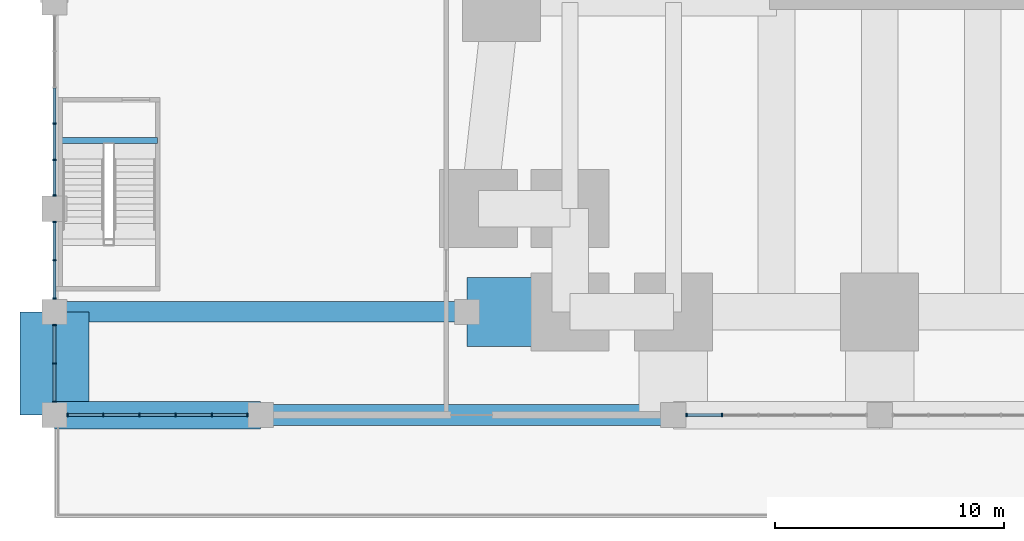
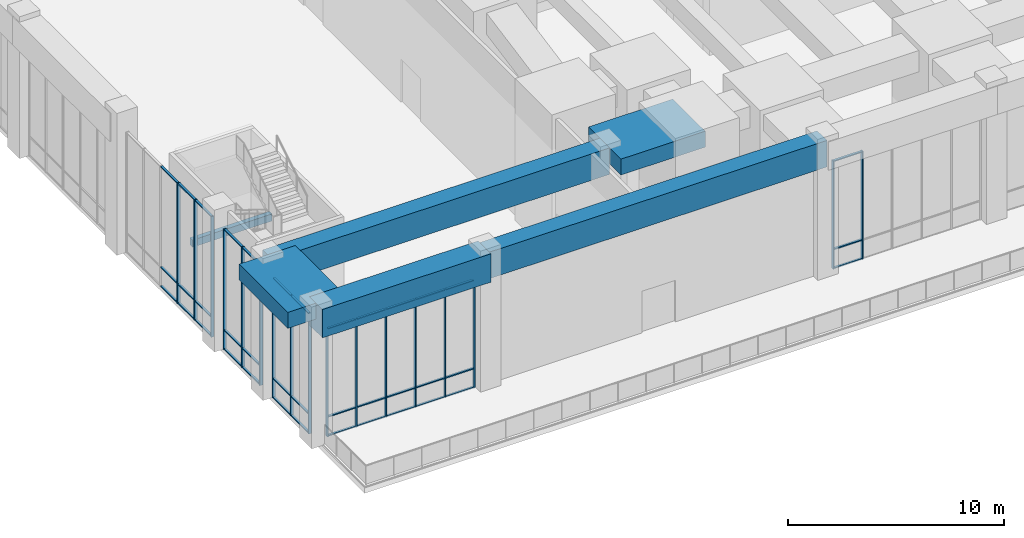
# One storey, part 2 of 26: 56 members, 6 beams, 5 elements without a shape of their own.
"""IFC4 building model written with IfcOpenShell, lengths in metres."""

from ifc_helpers import new_model, si_unit, direction, frame, origin, origin_2d, place, context, subcontext, project, spatial, rectangle, extrude, material, material_profile, profile_set, type_object, element, aggregate, save


model = new_model("IFC4")

# Units and contexts
model_context = context("Model", 3, precision=1e-05, world=origin(), true_north=direction((0.0, 1.0)))
body_context = subcontext(model_context, "Body", "Model", "MODEL_VIEW")
ifc_project = project(units=[si_unit("LENGTHUNIT", "METRE"), si_unit("AREAUNIT", "SQUARE_METRE"), si_unit("VOLUMEUNIT", "CUBIC_METRE"), si_unit("PLANEANGLEUNIT", "RADIAN"), si_unit("MASSUNIT", "GRAM", prefix="KILO")], contexts=[model_context])

# Site, building, storey
site_placement = place(None, origin())
site = spatial("IfcSite", under=ifc_project, at=site_placement, CompositionType="ELEMENT")
building_placement = place(site_placement, origin())
building = spatial("IfcBuilding", under=site, at=building_placement, Name="Kilele Tower Hotel", CompositionType="ELEMENT")
storey_placement = place(building_placement, frame((0.0, 0.0, 11.0)))
storey = spatial("IfcBuildingStorey", under=building, at=storey_placement, Name="L02", CompositionType="ELEMENT", Elevation=11.0)

# Beams
ifc_material_1 = material(Name="Concrete C60/75", Category="concrete")
ifc_material_profile_1 = material_profile(ifc_material_1, rectangle(XDim=1.199951171875, YDim=1.60009765625, at=origin_2d()))
ifc_profile_set_1 = profile_set([ifc_material_profile_1], Name="Concrete C60/75")
beam_type_1 = type_object("IfcBeamType", Name="Beam RC 1200x1600 C60/75", PredefinedType="BEAM", material=ifc_profile_set_1)
beam_1_placement = place(storey_placement, frame((-18.0, -4.5, 6.89990234375), z_axis=(1.0, 0.0, 0.0), x_axis=(0.0, 1.0, 0.0)))
element("IfcBeam", 1, at=beam_1_placement, inside=storey, type_object=beam_type_1, Name="Beam PB2 level L03", PredefinedType="BEAM", context=body_context, shape_type="SweptSolid", body=[
    extrude(rectangle(XDim=1.199951171875, YDim=1.60009765625, at=origin_2d()), origin(), (0.0, 0.0, 1.0), 9.0),
])
ifc_material_2 = material(Name="Concrete C60/75", Category="concrete")
ifc_material_profile_2 = material_profile(ifc_material_2, rectangle(XDim=3.0, YDim=0.89990234375, at=origin_2d()))
ifc_profile_set_2 = profile_set([ifc_material_profile_2], Name="Concrete C60/75")
beam_type_2 = type_object("IfcBeamType", Name="Beam RC 3000x900 C60/75", PredefinedType="BEAM", material=ifc_profile_set_2)
for number, where, z_axis, x_axis, name in (
    (2, (-18.0, -4.5, 7.25), (0.0, 1.0, 0.0), (-1.0, 0.0, 0.0), "Beam PB1 level L03"),
    (3, (0.0, 0.0, 7.25), (1.0, 0.0, 0.0), (0.0, 1.0, 0.0), "Beam PB1 level L03"),
):
    element("IfcBeam", number, at=place(storey_placement, frame(where, z_axis=z_axis, x_axis=x_axis)), inside=storey, type_object=beam_type_2, Name=name, PredefinedType="BEAM", context=body_context, shape_type="SweptSolid", body=[
        extrude(rectangle(XDim=3.0, YDim=0.89990234375, at=origin_2d()), origin(), (0.0, 0.0, 1.0), 4.5),
    ])
ifc_material_3 = material(Name="Concrete C40/50", Category="concrete")
ifc_material_profile_3 = material_profile(ifc_material_3, rectangle(XDim=0.25, YDim=0.39990234375, at=origin_2d()))
ifc_profile_set_3 = profile_set([ifc_material_profile_3], Name="Concrete C40/50")
beam_type_3 = type_object("IfcBeamType", Name="Landing beam RC 250x400 C40/50", PredefinedType="BEAM", material=ifc_profile_set_3)
beam_2_placement = place(storey_placement, frame((-17.75, 7.47509765625, 3.77392578125), z_axis=(1.0, 0.0, 0.0), x_axis=(0.0, 1.0, 0.0)))
element("IfcBeam", 4, at=beam_2_placement, inside=storey, type_object=beam_type_3, Name="Landing beam ST4 L02", PredefinedType="BEAM", context=body_context, shape_type="SweptSolid", body=[
    extrude(rectangle(XDim=0.25, YDim=0.39990234375, at=origin_2d()), origin(), (0.0, 0.0, 1.0), 4.25),
])
ifc_material_4 = material(Name="Concrete C60/75", Category="concrete")
ifc_material_profile_4 = material_profile(ifc_material_4, rectangle(XDim=0.89990234375, YDim=1.5, at=origin_2d()))
ifc_profile_set_4 = profile_set([ifc_material_profile_4], Name="Concrete C60/75")
beam_type_4 = type_object("IfcBeamType", Name="Long-span beam RC 900x1500 C60/75", PredefinedType="BEAM", material=ifc_profile_set_4)
for number, where, z_axis, x_axis, name in (
    (5, (-18.0, 0.0, 6.949951171875), (1.0, 0.0, 0.0), (0.0, 1.0, 0.0), "Long-span beam LB4 level L03"),
    (6, (-9.0, -4.5, 6.949951171875), (1.0, 0.0, 0.0), (0.0, 1.0, 0.0), "Long-span beam LB4 level L03"),
):
    element("IfcBeam", number, at=place(storey_placement, frame(where, z_axis=z_axis, x_axis=x_axis)), inside=storey, type_object=beam_type_4, Name=name, PredefinedType="BEAM", context=body_context, shape_type="SweptSolid", body=[
        extrude(rectangle(XDim=0.89990234375, YDim=1.5, at=origin_2d()), origin(), (0.0, 0.0, 1.0), 18.0),
    ])

# Curtain wall, members
ifc_material_5 = material(Name="Aluminium curtain wall, clear double glazing", Category="aluminium")
curtain_wall_type_1 = type_object("IfcCurtainWallType", Name="Podium curtain wall CW-1", PredefinedType="NOTDEFINED", material=ifc_material_5)
curtain_wall_1_placement = place(storey_placement, origin())
curtain_wall_1 = element("IfcCurtainWall", 7, at=curtain_wall_1_placement, inside=storey, type_object=curtain_wall_type_1, Name="Podium curtain wall CW-1 L02", PredefinedType="NOTDEFINED")
ifc_material_6 = material(Name="Aluminium EN AW-6063 T6", Category="aluminium")
ifc_material_profile_5 = material_profile(ifc_material_6, rectangle(XDim=0.159912109375, YDim=0.06005859375, at=origin_2d()))
ifc_profile_set_5 = profile_set([ifc_material_profile_5], Name="Aluminium EN AW-6063 T6")
member_type_1 = type_object("IfcMemberType", Name="Mullion 60x160 CW-1", PredefinedType="MULLION", material=ifc_profile_set_5)
member_1_placement = place(storey_placement, frame((-17.419921875, -4.5, 0.0), z_axis=(0.0, 0.0, 1.0), x_axis=(0.0, 1.0, 0.0)))
member_1 = element("IfcMember", 8, at=member_1_placement, type_object=member_type_1, Name="CW-1 mullion 1", PredefinedType="MULLION", context=body_context, shape_type="SweptSolid", body=[
    extrude(rectangle(XDim=0.159912109375, YDim=0.06005859375, at=origin_2d()), origin(), (0.0, 0.0, 1.0), 6.10009765625),
])
member_2_placement = place(storey_placement, frame((-15.8701171875, -4.5, 0.0), z_axis=(0.0, 0.0, 1.0), x_axis=(0.0, 1.0, 0.0)))
member_2 = element("IfcMember", 9, at=member_2_placement, type_object=member_type_1, Name="CW-1 mullion 2", PredefinedType="MULLION", context=body_context, shape_type="SweptSolid", body=[
    extrude(rectangle(XDim=0.159912109375, YDim=0.06005859375, at=origin_2d()), origin(), (0.0, 0.0, 1.0), 6.10009765625),
])
member_3_placement = place(storey_placement, frame((-14.2900390625, -4.5, 0.0), z_axis=(0.0, 0.0, 1.0), x_axis=(0.0, 1.0, 0.0)))
member_3 = element("IfcMember", 10, at=member_3_placement, type_object=member_type_1, Name="CW-1 mullion 3", PredefinedType="MULLION", context=body_context, shape_type="SweptSolid", body=[
    extrude(rectangle(XDim=0.159912109375, YDim=0.06005859375, at=origin_2d()), origin(), (0.0, 0.0, 1.0), 6.10009765625),
])
member_4_placement = place(storey_placement, frame((-12.7099609375, -4.5, 0.0), z_axis=(0.0, 0.0, 1.0), x_axis=(0.0, 1.0, 0.0)))
member_4 = element("IfcMember", 11, at=member_4_placement, type_object=member_type_1, Name="CW-1 mullion 4", PredefinedType="MULLION", context=body_context, shape_type="SweptSolid", body=[
    extrude(rectangle(XDim=0.159912109375, YDim=0.06005859375, at=origin_2d()), origin(), (0.0, 0.0, 1.0), 6.10009765625),
])
member_5_placement = place(storey_placement, frame((-11.1298828125, -4.5, 0.0), z_axis=(0.0, 0.0, 1.0), x_axis=(0.0, 1.0, 0.0)))
member_5 = element("IfcMember", 12, at=member_5_placement, type_object=member_type_1, Name="CW-1 mullion 5", PredefinedType="MULLION", context=body_context, shape_type="SweptSolid", body=[
    extrude(rectangle(XDim=0.159912109375, YDim=0.06005859375, at=origin_2d()), origin(), (0.0, 0.0, 1.0), 6.10009765625),
])
member_6_placement = place(storey_placement, frame((-9.580078125, -4.5, 0.0), z_axis=(0.0, 0.0, 1.0), x_axis=(0.0, 1.0, 0.0)))
member_6 = element("IfcMember", 13, at=member_6_placement, type_object=member_type_1, Name="CW-1 mullion 6", PredefinedType="MULLION", context=body_context, shape_type="SweptSolid", body=[
    extrude(rectangle(XDim=0.159912109375, YDim=0.06005859375, at=origin_2d()), origin(), (0.0, 0.0, 1.0), 6.10009765625),
])

curtain_wall_2_placement = place(storey_placement, origin())
curtain_wall_2 = element("IfcCurtainWall", 14, at=curtain_wall_2_placement, inside=storey, type_object=curtain_wall_type_1, Name="Podium curtain wall CW-1 L02", PredefinedType="NOTDEFINED")
member_7_placement = place(storey_placement, frame((9.580078125, -4.5, 0.0), z_axis=(0.0, 0.0, 1.0), x_axis=(0.0, 1.0, 0.0)))
member_7 = element("IfcMember", 15, at=member_7_placement, type_object=member_type_1, Name="CW-1 mullion 1", PredefinedType="MULLION", context=body_context, shape_type="SweptSolid", body=[
    extrude(rectangle(XDim=0.159912109375, YDim=0.06005859375, at=origin_2d()), origin(), (0.0, 0.0, 1.0), 6.10009765625),
])
member_8_placement = place(storey_placement, frame((11.1298828125, -4.5, 0.0), z_axis=(0.0, 0.0, 1.0), x_axis=(0.0, 1.0, 0.0)))
member_8 = element("IfcMember", 16, at=member_8_placement, type_object=member_type_1, Name="CW-1 mullion 2", PredefinedType="MULLION", context=body_context, shape_type="SweptSolid", body=[
    extrude(rectangle(XDim=0.159912109375, YDim=0.06005859375, at=origin_2d()), origin(), (0.0, 0.0, 1.0), 6.10009765625),
])

ifc_material_7 = material(Name="Aluminium curtain wall, clear double glazing", Category="aluminium")
curtain_wall_type_2 = type_object("IfcCurtainWallType", Name="Podium side curtain wall CW-2", PredefinedType="NOTDEFINED", material=ifc_material_7)
curtain_wall_3_placement = place(storey_placement, origin())
curtain_wall_3 = element("IfcCurtainWall", 17, at=curtain_wall_3_placement, inside=storey, type_object=curtain_wall_type_2, Name="Podium side curtain wall CW-2 L02", PredefinedType="NOTDEFINED")
ifc_material_8 = material(Name="Aluminium EN AW-6063 T6", Category="aluminium")
ifc_material_profile_6 = material_profile(ifc_material_8, rectangle(XDim=0.159912109375, YDim=0.06005859375, at=origin_2d()))
ifc_profile_set_6 = profile_set([ifc_material_profile_6], Name="Aluminium EN AW-6063 T6")
member_type_2 = type_object("IfcMemberType", Name="Mullion 60x160 CW-2", PredefinedType="MULLION", material=ifc_profile_set_6)
member_9_placement = place(storey_placement, frame((-18.0, 8.2099609375, 0.0), z_axis=(0.0, 0.0, 1.0), x_axis=(1.0, 0.0, 0.0)))
member_9 = element("IfcMember", 18, at=member_9_placement, type_object=member_type_2, Name="CW-2 mullion 4", PredefinedType="MULLION", context=body_context, shape_type="SweptSolid", body=[
    extrude(rectangle(XDim=0.159912109375, YDim=0.06005859375, at=origin_2d()), origin(), (0.0, 0.0, 1.0), 6.800048828125),
])
member_10_placement = place(storey_placement, frame((-18.0, 6.6298828125, 0.0), z_axis=(0.0, 0.0, 1.0), x_axis=(1.0, 0.0, 0.0)))
member_10 = element("IfcMember", 19, at=member_10_placement, type_object=member_type_2, Name="CW-2 mullion 5", PredefinedType="MULLION", context=body_context, shape_type="SweptSolid", body=[
    extrude(rectangle(XDim=0.159912109375, YDim=0.06005859375, at=origin_2d()), origin(), (0.0, 0.0, 1.0), 6.800048828125),
])
member_11_placement = place(storey_placement, frame((-18.0, 5.080078125, 0.0), z_axis=(0.0, 0.0, 1.0), x_axis=(1.0, 0.0, 0.0)))
member_11 = element("IfcMember", 20, at=member_11_placement, type_object=member_type_2, Name="CW-2 mullion 6", PredefinedType="MULLION", context=body_context, shape_type="SweptSolid", body=[
    extrude(rectangle(XDim=0.159912109375, YDim=0.06005859375, at=origin_2d()), origin(), (0.0, 0.0, 1.0), 6.800048828125),
])

curtain_wall_4_placement = place(storey_placement, origin())
curtain_wall_4 = element("IfcCurtainWall", 21, at=curtain_wall_4_placement, inside=storey, type_object=curtain_wall_type_2, Name="Podium side curtain wall CW-2 L02", PredefinedType="NOTDEFINED")
member_12_placement = place(storey_placement, frame((-18.0, 3.919921875, 0.0), z_axis=(0.0, 0.0, 1.0), x_axis=(1.0, 0.0, 0.0)))
member_12 = element("IfcMember", 22, at=member_12_placement, type_object=member_type_2, Name="CW-2 mullion 1", PredefinedType="MULLION", context=body_context, shape_type="SweptSolid", body=[
    extrude(rectangle(XDim=0.159912109375, YDim=0.06005859375, at=origin_2d()), origin(), (0.0, 0.0, 1.0), 6.800048828125),
])
member_13_placement = place(storey_placement, frame((-18.0, 2.25, 0.0), z_axis=(0.0, 0.0, 1.0), x_axis=(1.0, 0.0, 0.0)))
member_13 = element("IfcMember", 23, at=member_13_placement, type_object=member_type_2, Name="CW-2 mullion 2", PredefinedType="MULLION", context=body_context, shape_type="SweptSolid", body=[
    extrude(rectangle(XDim=0.159912109375, YDim=0.06005859375, at=origin_2d()), origin(), (0.0, 0.0, 1.0), 6.800048828125),
])
member_14_placement = place(storey_placement, frame((-18.0, 0.580078125, 0.0), z_axis=(0.0, 0.0, 1.0), x_axis=(1.0, 0.0, 0.0)))
member_14 = element("IfcMember", 24, at=member_14_placement, type_object=member_type_2, Name="CW-2 mullion 3", PredefinedType="MULLION", context=body_context, shape_type="SweptSolid", body=[
    extrude(rectangle(XDim=0.159912109375, YDim=0.06005859375, at=origin_2d()), origin(), (0.0, 0.0, 1.0), 6.800048828125),
])

curtain_wall_5_placement = place(storey_placement, origin())
curtain_wall_5 = element("IfcCurtainWall", 25, at=curtain_wall_5_placement, inside=storey, type_object=curtain_wall_type_2, Name="Podium side curtain wall CW-2 L02", PredefinedType="NOTDEFINED")
member_15_placement = place(storey_placement, frame((-18.0, -0.580078125, 0.0), z_axis=(0.0, 0.0, 1.0), x_axis=(1.0, 0.0, 0.0)))
member_15 = element("IfcMember", 26, at=member_15_placement, type_object=member_type_2, Name="CW-2 mullion 1", PredefinedType="MULLION", context=body_context, shape_type="SweptSolid", body=[
    extrude(rectangle(XDim=0.159912109375, YDim=0.06005859375, at=origin_2d()), origin(), (0.0, 0.0, 1.0), 6.800048828125),
])
member_16_placement = place(storey_placement, frame((-18.0, -2.25, 0.0), z_axis=(0.0, 0.0, 1.0), x_axis=(1.0, 0.0, 0.0)))
member_16 = element("IfcMember", 27, at=member_16_placement, type_object=member_type_2, Name="CW-2 mullion 2", PredefinedType="MULLION", context=body_context, shape_type="SweptSolid", body=[
    extrude(rectangle(XDim=0.159912109375, YDim=0.06005859375, at=origin_2d()), origin(), (0.0, 0.0, 1.0), 6.800048828125),
])
member_17_placement = place(storey_placement, frame((-18.0, -3.919921875, 0.0), z_axis=(0.0, 0.0, 1.0), x_axis=(1.0, 0.0, 0.0)))
member_17 = element("IfcMember", 28, at=member_17_placement, type_object=member_type_2, Name="CW-2 mullion 3", PredefinedType="MULLION", context=body_context, shape_type="SweptSolid", body=[
    extrude(rectangle(XDim=0.159912109375, YDim=0.06005859375, at=origin_2d()), origin(), (0.0, 0.0, 1.0), 6.800048828125),
])

# Member
ifc_material_9 = material(Name="Aluminium EN AW-6063 T6", Category="aluminium")
ifc_material_profile_7 = material_profile(ifc_material_9, rectangle(XDim=0.1201171875, YDim=0.06005859375, at=origin_2d()))
ifc_profile_set_7 = profile_set([ifc_material_profile_7], Name="Aluminium EN AW-6063 T6")
member_type_3 = type_object("IfcMemberType", Name="Transom 60x120 CW-1", PredefinedType="USERDEFINED", material=ifc_profile_set_7)
member_18_placement = place(storey_placement, frame((-17.389892578125, -4.5, 0.030029296875), z_axis=(1.0, 0.0, 0.0), x_axis=(0.0, 1.0, 0.0)))
member_18 = element("IfcMember", 29, at=member_18_placement, type_object=member_type_3, Name="CW-1 transom 1.1", ObjectType="TRANSOM", PredefinedType="USERDEFINED", context=body_context, shape_type="SweptSolid", body=[
    extrude(rectangle(XDim=0.1201171875, YDim=0.06005859375, at=origin_2d()), origin(), (0.0, 0.0, 1.0), 1.489990234375),
])

member_19_placement = place(storey_placement, frame((-17.389892578125, -4.5, 1.10009765625), z_axis=(1.0, 0.0, 0.0), x_axis=(0.0, 1.0, 0.0)))
member_19 = element("IfcMember", 30, at=member_19_placement, type_object=member_type_3, Name="CW-1 transom 1.2", ObjectType="TRANSOM", PredefinedType="USERDEFINED", context=body_context, shape_type="SweptSolid", body=[
    extrude(rectangle(XDim=0.1201171875, YDim=0.06005859375, at=origin_2d()), origin(), (0.0, 0.0, 1.0), 1.489990234375),
])

member_20_placement = place(storey_placement, frame((-17.389892578125, -4.5, 6.070068359375), z_axis=(1.0, 0.0, 0.0), x_axis=(0.0, 1.0, 0.0)))
member_20 = element("IfcMember", 31, at=member_20_placement, type_object=member_type_3, Name="CW-1 transom 1.3", ObjectType="TRANSOM", PredefinedType="USERDEFINED", context=body_context, shape_type="SweptSolid", body=[
    extrude(rectangle(XDim=0.1201171875, YDim=0.06005859375, at=origin_2d()), origin(), (0.0, 0.0, 1.0), 1.489990234375),
])

member_21_placement = place(storey_placement, frame((-15.840087890625, -4.5, 0.030029296875), z_axis=(1.0, 0.0, 0.0), x_axis=(0.0, 1.0, 0.0)))
member_21 = element("IfcMember", 32, at=member_21_placement, type_object=member_type_3, Name="CW-1 transom 2.1", ObjectType="TRANSOM", PredefinedType="USERDEFINED", context=body_context, shape_type="SweptSolid", body=[
    extrude(rectangle(XDim=0.1201171875, YDim=0.06005859375, at=origin_2d()), origin(), (0.0, 0.0, 1.0), 1.52001953125),
])

member_22_placement = place(storey_placement, frame((-15.840087890625, -4.5, 1.10009765625), z_axis=(1.0, 0.0, 0.0), x_axis=(0.0, 1.0, 0.0)))
member_22 = element("IfcMember", 33, at=member_22_placement, type_object=member_type_3, Name="CW-1 transom 2.2", ObjectType="TRANSOM", PredefinedType="USERDEFINED", context=body_context, shape_type="SweptSolid", body=[
    extrude(rectangle(XDim=0.1201171875, YDim=0.06005859375, at=origin_2d()), origin(), (0.0, 0.0, 1.0), 1.52001953125),
])

member_23_placement = place(storey_placement, frame((-15.840087890625, -4.5, 6.070068359375), z_axis=(1.0, 0.0, 0.0), x_axis=(0.0, 1.0, 0.0)))
member_23 = element("IfcMember", 34, at=member_23_placement, type_object=member_type_3, Name="CW-1 transom 2.3", ObjectType="TRANSOM", PredefinedType="USERDEFINED", context=body_context, shape_type="SweptSolid", body=[
    extrude(rectangle(XDim=0.1201171875, YDim=0.06005859375, at=origin_2d()), origin(), (0.0, 0.0, 1.0), 1.52001953125),
])

member_24_placement = place(storey_placement, frame((-14.260009765625, -4.5, 0.030029296875), z_axis=(1.0, 0.0, 0.0), x_axis=(0.0, 1.0, 0.0)))
member_24 = element("IfcMember", 35, at=member_24_placement, type_object=member_type_3, Name="CW-1 transom 3.1", ObjectType="TRANSOM", PredefinedType="USERDEFINED", context=body_context, shape_type="SweptSolid", body=[
    extrude(rectangle(XDim=0.1201171875, YDim=0.06005859375, at=origin_2d()), origin(), (0.0, 0.0, 1.0), 1.52001953125),
])

member_25_placement = place(storey_placement, frame((-14.260009765625, -4.5, 1.10009765625), z_axis=(1.0, 0.0, 0.0), x_axis=(0.0, 1.0, 0.0)))
member_25 = element("IfcMember", 36, at=member_25_placement, type_object=member_type_3, Name="CW-1 transom 3.2", ObjectType="TRANSOM", PredefinedType="USERDEFINED", context=body_context, shape_type="SweptSolid", body=[
    extrude(rectangle(XDim=0.1201171875, YDim=0.06005859375, at=origin_2d()), origin(), (0.0, 0.0, 1.0), 1.52001953125),
])

member_26_placement = place(storey_placement, frame((-14.260009765625, -4.5, 6.070068359375), z_axis=(1.0, 0.0, 0.0), x_axis=(0.0, 1.0, 0.0)))
member_26 = element("IfcMember", 37, at=member_26_placement, type_object=member_type_3, Name="CW-1 transom 3.3", ObjectType="TRANSOM", PredefinedType="USERDEFINED", context=body_context, shape_type="SweptSolid", body=[
    extrude(rectangle(XDim=0.1201171875, YDim=0.06005859375, at=origin_2d()), origin(), (0.0, 0.0, 1.0), 1.52001953125),
])

member_27_placement = place(storey_placement, frame((-12.679931640625, -4.5, 0.030029296875), z_axis=(1.0, 0.0, 0.0), x_axis=(0.0, 1.0, 0.0)))
member_27 = element("IfcMember", 38, at=member_27_placement, type_object=member_type_3, Name="CW-1 transom 4.1", ObjectType="TRANSOM", PredefinedType="USERDEFINED", context=body_context, shape_type="SweptSolid", body=[
    extrude(rectangle(XDim=0.1201171875, YDim=0.06005859375, at=origin_2d()), origin(), (0.0, 0.0, 1.0), 1.52001953125),
])

member_28_placement = place(storey_placement, frame((-12.679931640625, -4.5, 1.10009765625), z_axis=(1.0, 0.0, 0.0), x_axis=(0.0, 1.0, 0.0)))
member_28 = element("IfcMember", 39, at=member_28_placement, type_object=member_type_3, Name="CW-1 transom 4.2", ObjectType="TRANSOM", PredefinedType="USERDEFINED", context=body_context, shape_type="SweptSolid", body=[
    extrude(rectangle(XDim=0.1201171875, YDim=0.06005859375, at=origin_2d()), origin(), (0.0, 0.0, 1.0), 1.52001953125),
])

member_29_placement = place(storey_placement, frame((-12.679931640625, -4.5, 6.070068359375), z_axis=(1.0, 0.0, 0.0), x_axis=(0.0, 1.0, 0.0)))
member_29 = element("IfcMember", 40, at=member_29_placement, type_object=member_type_3, Name="CW-1 transom 4.3", ObjectType="TRANSOM", PredefinedType="USERDEFINED", context=body_context, shape_type="SweptSolid", body=[
    extrude(rectangle(XDim=0.1201171875, YDim=0.06005859375, at=origin_2d()), origin(), (0.0, 0.0, 1.0), 1.52001953125),
])

member_30_placement = place(storey_placement, frame((-11.10009765625, -4.5, 0.030029296875), z_axis=(1.0, 0.0, 0.0), x_axis=(0.0, 1.0, 0.0)))
member_30 = element("IfcMember", 41, at=member_30_placement, type_object=member_type_3, Name="CW-1 transom 5.1", ObjectType="TRANSOM", PredefinedType="USERDEFINED", context=body_context, shape_type="SweptSolid", body=[
    extrude(rectangle(XDim=0.1201171875, YDim=0.06005859375, at=origin_2d()), origin(), (0.0, 0.0, 1.0), 1.489990234375),
])

member_31_placement = place(storey_placement, frame((-11.10009765625, -4.5, 1.10009765625), z_axis=(1.0, 0.0, 0.0), x_axis=(0.0, 1.0, 0.0)))
member_31 = element("IfcMember", 42, at=member_31_placement, type_object=member_type_3, Name="CW-1 transom 5.2", ObjectType="TRANSOM", PredefinedType="USERDEFINED", context=body_context, shape_type="SweptSolid", body=[
    extrude(rectangle(XDim=0.1201171875, YDim=0.06005859375, at=origin_2d()), origin(), (0.0, 0.0, 1.0), 1.489990234375),
])

member_32_placement = place(storey_placement, frame((-11.10009765625, -4.5, 6.070068359375), z_axis=(1.0, 0.0, 0.0), x_axis=(0.0, 1.0, 0.0)))
member_32 = element("IfcMember", 43, at=member_32_placement, type_object=member_type_3, Name="CW-1 transom 5.3", ObjectType="TRANSOM", PredefinedType="USERDEFINED", context=body_context, shape_type="SweptSolid", body=[
    extrude(rectangle(XDim=0.1201171875, YDim=0.06005859375, at=origin_2d()), origin(), (0.0, 0.0, 1.0), 1.489990234375),
])

aggregate(curtain_wall_1, [member_1, member_2, member_3, member_4, member_5, member_6, member_18, member_19, member_20, member_21, member_22, member_23, member_24, member_25, member_26, member_27, member_28, member_29, member_30, member_31, member_32])

member_33_placement = place(storey_placement, frame((9.610107421875, -4.5, 0.030029296875), z_axis=(1.0, 0.0, 0.0), x_axis=(0.0, 1.0, 0.0)))
member_33 = element("IfcMember", 44, at=member_33_placement, type_object=member_type_3, Name="CW-1 transom 1.1", ObjectType="TRANSOM", PredefinedType="USERDEFINED", context=body_context, shape_type="SweptSolid", body=[
    extrude(rectangle(XDim=0.1201171875, YDim=0.06005859375, at=origin_2d()), origin(), (0.0, 0.0, 1.0), 1.489990234375),
])

member_34_placement = place(storey_placement, frame((9.610107421875, -4.5, 1.10009765625), z_axis=(1.0, 0.0, 0.0), x_axis=(0.0, 1.0, 0.0)))
member_34 = element("IfcMember", 45, at=member_34_placement, type_object=member_type_3, Name="CW-1 transom 1.2", ObjectType="TRANSOM", PredefinedType="USERDEFINED", context=body_context, shape_type="SweptSolid", body=[
    extrude(rectangle(XDim=0.1201171875, YDim=0.06005859375, at=origin_2d()), origin(), (0.0, 0.0, 1.0), 1.489990234375),
])

member_35_placement = place(storey_placement, frame((9.610107421875, -4.5, 6.070068359375), z_axis=(1.0, 0.0, 0.0), x_axis=(0.0, 1.0, 0.0)))
member_35 = element("IfcMember", 46, at=member_35_placement, type_object=member_type_3, Name="CW-1 transom 1.3", ObjectType="TRANSOM", PredefinedType="USERDEFINED", context=body_context, shape_type="SweptSolid", body=[
    extrude(rectangle(XDim=0.1201171875, YDim=0.06005859375, at=origin_2d()), origin(), (0.0, 0.0, 1.0), 1.489990234375),
])

aggregate(curtain_wall_2, [member_7, member_8, member_33, member_34, member_35])

ifc_material_10 = material(Name="Aluminium EN AW-6063 T6", Category="aluminium")
ifc_material_profile_8 = material_profile(ifc_material_10, rectangle(XDim=0.1201171875, YDim=0.06005859375, at=origin_2d()))
ifc_profile_set_8 = profile_set([ifc_material_profile_8], Name="Aluminium EN AW-6063 T6")
member_type_4 = type_object("IfcMemberType", Name="Transom 60x120 CW-2", PredefinedType="USERDEFINED", material=ifc_profile_set_8)
member_36_placement = place(storey_placement, frame((-18.0, 9.760009765625, 0.030029296875), z_axis=(0.0, -1.0, 0.0), x_axis=(1.0, 0.0, 0.0)))
member_36 = element("IfcMember", 47, at=member_36_placement, type_object=member_type_4, Name="CW-2 transom 3.1", ObjectType="TRANSOM", PredefinedType="USERDEFINED", context=body_context, shape_type="SweptSolid", body=[
    extrude(rectangle(XDim=0.1201171875, YDim=0.06005859375, at=origin_2d()), origin(), (0.0, 0.0, 1.0), 1.52001953125),
])

member_37_placement = place(storey_placement, frame((-18.0, 9.760009765625, 1.10009765625), z_axis=(0.0, -1.0, 0.0), x_axis=(1.0, 0.0, 0.0)))
member_37 = element("IfcMember", 48, at=member_37_placement, type_object=member_type_4, Name="CW-2 transom 3.2", ObjectType="TRANSOM", PredefinedType="USERDEFINED", context=body_context, shape_type="SweptSolid", body=[
    extrude(rectangle(XDim=0.1201171875, YDim=0.06005859375, at=origin_2d()), origin(), (0.0, 0.0, 1.0), 1.52001953125),
])

member_38_placement = place(storey_placement, frame((-18.0, 9.760009765625, 6.77001953125), z_axis=(0.0, -1.0, 0.0), x_axis=(1.0, 0.0, 0.0)))
member_38 = element("IfcMember", 49, at=member_38_placement, type_object=member_type_4, Name="CW-2 transom 3.3", ObjectType="TRANSOM", PredefinedType="USERDEFINED", context=body_context, shape_type="SweptSolid", body=[
    extrude(rectangle(XDim=0.1201171875, YDim=0.06005859375, at=origin_2d()), origin(), (0.0, 0.0, 1.0), 1.52001953125),
])

member_39_placement = place(storey_placement, frame((-18.0, 8.179931640625, 0.030029296875), z_axis=(0.0, -1.0, 0.0), x_axis=(1.0, 0.0, 0.0)))
member_39 = element("IfcMember", 50, at=member_39_placement, type_object=member_type_4, Name="CW-2 transom 4.1", ObjectType="TRANSOM", PredefinedType="USERDEFINED", context=body_context, shape_type="SweptSolid", body=[
    extrude(rectangle(XDim=0.1201171875, YDim=0.06005859375, at=origin_2d()), origin(), (0.0, 0.0, 1.0), 1.52001953125),
])

member_40_placement = place(storey_placement, frame((-18.0, 8.179931640625, 1.10009765625), z_axis=(0.0, -1.0, 0.0), x_axis=(1.0, 0.0, 0.0)))
member_40 = element("IfcMember", 51, at=member_40_placement, type_object=member_type_4, Name="CW-2 transom 4.2", ObjectType="TRANSOM", PredefinedType="USERDEFINED", context=body_context, shape_type="SweptSolid", body=[
    extrude(rectangle(XDim=0.1201171875, YDim=0.06005859375, at=origin_2d()), origin(), (0.0, 0.0, 1.0), 1.52001953125),
])

member_41_placement = place(storey_placement, frame((-18.0, 8.179931640625, 6.77001953125), z_axis=(0.0, -1.0, 0.0), x_axis=(1.0, 0.0, 0.0)))
member_41 = element("IfcMember", 52, at=member_41_placement, type_object=member_type_4, Name="CW-2 transom 4.3", ObjectType="TRANSOM", PredefinedType="USERDEFINED", context=body_context, shape_type="SweptSolid", body=[
    extrude(rectangle(XDim=0.1201171875, YDim=0.06005859375, at=origin_2d()), origin(), (0.0, 0.0, 1.0), 1.52001953125),
])

member_42_placement = place(storey_placement, frame((-18.0, 6.60009765625, 0.030029296875), z_axis=(0.0, -1.0, 0.0), x_axis=(1.0, 0.0, 0.0)))
member_42 = element("IfcMember", 53, at=member_42_placement, type_object=member_type_4, Name="CW-2 transom 5.1", ObjectType="TRANSOM", PredefinedType="USERDEFINED", context=body_context, shape_type="SweptSolid", body=[
    extrude(rectangle(XDim=0.1201171875, YDim=0.06005859375, at=origin_2d()), origin(), (0.0, 0.0, 1.0), 1.489990234375),
])

member_43_placement = place(storey_placement, frame((-18.0, 6.60009765625, 1.10009765625), z_axis=(0.0, -1.0, 0.0), x_axis=(1.0, 0.0, 0.0)))
member_43 = element("IfcMember", 54, at=member_43_placement, type_object=member_type_4, Name="CW-2 transom 5.2", ObjectType="TRANSOM", PredefinedType="USERDEFINED", context=body_context, shape_type="SweptSolid", body=[
    extrude(rectangle(XDim=0.1201171875, YDim=0.06005859375, at=origin_2d()), origin(), (0.0, 0.0, 1.0), 1.489990234375),
])

member_44_placement = place(storey_placement, frame((-18.0, 6.60009765625, 6.77001953125), z_axis=(0.0, -1.0, 0.0), x_axis=(1.0, 0.0, 0.0)))
member_44 = element("IfcMember", 55, at=member_44_placement, type_object=member_type_4, Name="CW-2 transom 5.3", ObjectType="TRANSOM", PredefinedType="USERDEFINED", context=body_context, shape_type="SweptSolid", body=[
    extrude(rectangle(XDim=0.1201171875, YDim=0.06005859375, at=origin_2d()), origin(), (0.0, 0.0, 1.0), 1.489990234375),
])

aggregate(curtain_wall_3, [member_9, member_10, member_11, member_36, member_37, member_38, member_39, member_40, member_41, member_42, member_43, member_44])

member_45_placement = place(storey_placement, frame((-18.0, 3.889892578125, 0.030029296875), z_axis=(0.0, -1.0, 0.0), x_axis=(1.0, 0.0, 0.0)))
member_45 = element("IfcMember", 56, at=member_45_placement, type_object=member_type_4, Name="CW-2 transom 1.1", ObjectType="TRANSOM", PredefinedType="USERDEFINED", context=body_context, shape_type="SweptSolid", body=[
    extrude(rectangle(XDim=0.1201171875, YDim=0.06005859375, at=origin_2d()), origin(), (0.0, 0.0, 1.0), 1.60986328125),
])

member_46_placement = place(storey_placement, frame((-18.0, 3.889892578125, 1.10009765625), z_axis=(0.0, -1.0, 0.0), x_axis=(1.0, 0.0, 0.0)))
member_46 = element("IfcMember", 57, at=member_46_placement, type_object=member_type_4, Name="CW-2 transom 1.2", ObjectType="TRANSOM", PredefinedType="USERDEFINED", context=body_context, shape_type="SweptSolid", body=[
    extrude(rectangle(XDim=0.1201171875, YDim=0.06005859375, at=origin_2d()), origin(), (0.0, 0.0, 1.0), 1.60986328125),
])

member_47_placement = place(storey_placement, frame((-18.0, 3.889892578125, 6.77001953125), z_axis=(0.0, -1.0, 0.0), x_axis=(1.0, 0.0, 0.0)))
member_47 = element("IfcMember", 58, at=member_47_placement, type_object=member_type_4, Name="CW-2 transom 1.3", ObjectType="TRANSOM", PredefinedType="USERDEFINED", context=body_context, shape_type="SweptSolid", body=[
    extrude(rectangle(XDim=0.1201171875, YDim=0.06005859375, at=origin_2d()), origin(), (0.0, 0.0, 1.0), 1.60986328125),
])

member_48_placement = place(storey_placement, frame((-18.0, 2.219970703125, 0.030029296875), z_axis=(0.0, -1.0, 0.0), x_axis=(1.0, 0.0, 0.0)))
member_48 = element("IfcMember", 59, at=member_48_placement, type_object=member_type_4, Name="CW-2 transom 2.1", ObjectType="TRANSOM", PredefinedType="USERDEFINED", context=body_context, shape_type="SweptSolid", body=[
    extrude(rectangle(XDim=0.1201171875, YDim=0.06005859375, at=origin_2d()), origin(), (0.0, 0.0, 1.0), 1.60986328125),
])

member_49_placement = place(storey_placement, frame((-18.0, 2.219970703125, 1.10009765625), z_axis=(0.0, -1.0, 0.0), x_axis=(1.0, 0.0, 0.0)))
member_49 = element("IfcMember", 60, at=member_49_placement, type_object=member_type_4, Name="CW-2 transom 2.2", ObjectType="TRANSOM", PredefinedType="USERDEFINED", context=body_context, shape_type="SweptSolid", body=[
    extrude(rectangle(XDim=0.1201171875, YDim=0.06005859375, at=origin_2d()), origin(), (0.0, 0.0, 1.0), 1.60986328125),
])

member_50_placement = place(storey_placement, frame((-18.0, 2.219970703125, 6.77001953125), z_axis=(0.0, -1.0, 0.0), x_axis=(1.0, 0.0, 0.0)))
member_50 = element("IfcMember", 61, at=member_50_placement, type_object=member_type_4, Name="CW-2 transom 2.3", ObjectType="TRANSOM", PredefinedType="USERDEFINED", context=body_context, shape_type="SweptSolid", body=[
    extrude(rectangle(XDim=0.1201171875, YDim=0.06005859375, at=origin_2d()), origin(), (0.0, 0.0, 1.0), 1.60986328125),
])

aggregate(curtain_wall_4, [member_12, member_13, member_14, member_45, member_46, member_47, member_48, member_49, member_50])

member_51_placement = place(storey_placement, frame((-18.0, -0.610107421875, 0.030029296875), z_axis=(0.0, -1.0, 0.0), x_axis=(1.0, 0.0, 0.0)))
member_51 = element("IfcMember", 62, at=member_51_placement, type_object=member_type_4, Name="CW-2 transom 1.1", ObjectType="TRANSOM", PredefinedType="USERDEFINED", context=body_context, shape_type="SweptSolid", body=[
    extrude(rectangle(XDim=0.1201171875, YDim=0.06005859375, at=origin_2d()), origin(), (0.0, 0.0, 1.0), 1.60986328125),
])

member_52_placement = place(storey_placement, frame((-18.0, -0.610107421875, 1.10009765625), z_axis=(0.0, -1.0, 0.0), x_axis=(1.0, 0.0, 0.0)))
member_52 = element("IfcMember", 63, at=member_52_placement, type_object=member_type_4, Name="CW-2 transom 1.2", ObjectType="TRANSOM", PredefinedType="USERDEFINED", context=body_context, shape_type="SweptSolid", body=[
    extrude(rectangle(XDim=0.1201171875, YDim=0.06005859375, at=origin_2d()), origin(), (0.0, 0.0, 1.0), 1.60986328125),
])

member_53_placement = place(storey_placement, frame((-18.0, -0.610107421875, 6.77001953125), z_axis=(0.0, -1.0, 0.0), x_axis=(1.0, 0.0, 0.0)))
member_53 = element("IfcMember", 64, at=member_53_placement, type_object=member_type_4, Name="CW-2 transom 1.3", ObjectType="TRANSOM", PredefinedType="USERDEFINED", context=body_context, shape_type="SweptSolid", body=[
    extrude(rectangle(XDim=0.1201171875, YDim=0.06005859375, at=origin_2d()), origin(), (0.0, 0.0, 1.0), 1.60986328125),
])

member_54_placement = place(storey_placement, frame((-18.0, -2.280029296875, 0.030029296875), z_axis=(0.0, -1.0, 0.0), x_axis=(1.0, 0.0, 0.0)))
member_54 = element("IfcMember", 65, at=member_54_placement, type_object=member_type_4, Name="CW-2 transom 2.1", ObjectType="TRANSOM", PredefinedType="USERDEFINED", context=body_context, shape_type="SweptSolid", body=[
    extrude(rectangle(XDim=0.1201171875, YDim=0.06005859375, at=origin_2d()), origin(), (0.0, 0.0, 1.0), 1.60986328125),
])

member_55_placement = place(storey_placement, frame((-18.0, -2.280029296875, 1.10009765625), z_axis=(0.0, -1.0, 0.0), x_axis=(1.0, 0.0, 0.0)))
member_55 = element("IfcMember", 66, at=member_55_placement, type_object=member_type_4, Name="CW-2 transom 2.2", ObjectType="TRANSOM", PredefinedType="USERDEFINED", context=body_context, shape_type="SweptSolid", body=[
    extrude(rectangle(XDim=0.1201171875, YDim=0.06005859375, at=origin_2d()), origin(), (0.0, 0.0, 1.0), 1.60986328125),
])

member_56_placement = place(storey_placement, frame((-18.0, -2.280029296875, 6.77001953125), z_axis=(0.0, -1.0, 0.0), x_axis=(1.0, 0.0, 0.0)))
member_56 = element("IfcMember", 67, at=member_56_placement, type_object=member_type_4, Name="CW-2 transom 2.3", ObjectType="TRANSOM", PredefinedType="USERDEFINED", context=body_context, shape_type="SweptSolid", body=[
    extrude(rectangle(XDim=0.1201171875, YDim=0.06005859375, at=origin_2d()), origin(), (0.0, 0.0, 1.0), 1.60986328125),
])

aggregate(curtain_wall_5, [member_15, member_16, member_17, member_51, member_52, member_53, member_54, member_55, member_56])

save(model, "model.ifc")
